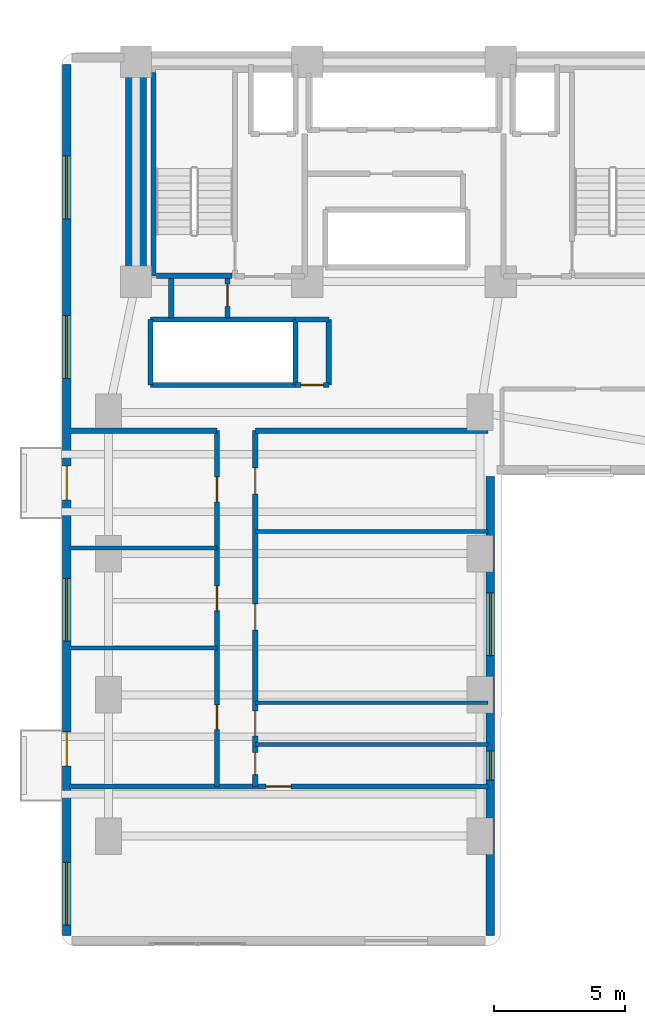
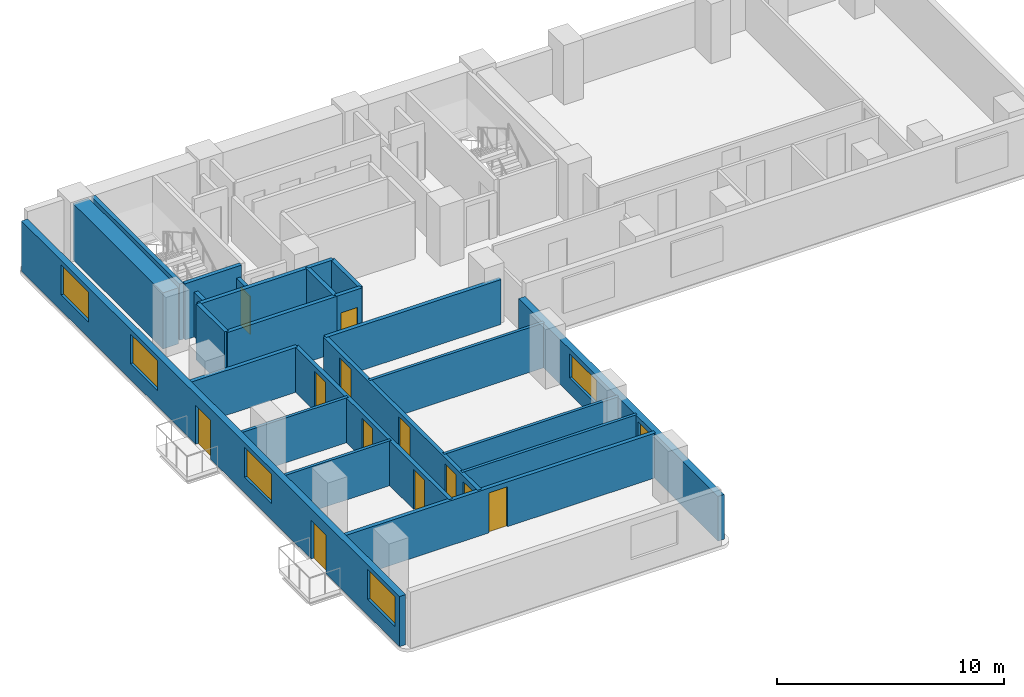
# One storey, part 10 of 17: 24 walls, 12 doors, 6 windows, 18 openings.
"""IFC4 building model written with IfcOpenShell, lengths in metres."""

from ifc_helpers import new_model, si_unit, direction, frame, frame_2d, origin, place, context, subcontext, project, spatial, rectangle, extrude, material, layer, layer_set, type_object, element, fill, save


model = new_model("IFC4")

# Units and contexts
model_context = context("Model", 3, precision=1e-05, world=origin(), true_north=direction((0.0, 1.0)))
body_context = subcontext(model_context, "Body", "Model", "MODEL_VIEW")
ifc_project = project(units=[si_unit("LENGTHUNIT", "METRE"), si_unit("AREAUNIT", "SQUARE_METRE"), si_unit("VOLUMEUNIT", "CUBIC_METRE"), si_unit("PLANEANGLEUNIT", "RADIAN"), si_unit("MASSUNIT", "GRAM", prefix="KILO")], contexts=[model_context])

# Site, building, storey
site_placement = place(None, origin())
site = spatial("IfcSite", under=ifc_project, at=site_placement, CompositionType="ELEMENT")
building_placement = place(site_placement, origin())
building = spatial("IfcBuilding", under=site, at=building_placement, Name="Kuzgunbayir Cultural Tower", CompositionType="ELEMENT")
storey_placement = place(building_placement, frame((0.0, 0.0, 50.0)))
storey = spatial("IfcBuildingStorey", under=building, at=storey_placement, Name="L13", CompositionType="ELEMENT", Elevation=50.0)

# Wall
ifc_material_1 = material(Name="Concrete C60/75", Category="concrete")
ifc_layer_1 = layer(ifc_material_1, 0.800048828125)
ifc_layer_set_1 = layer_set([ifc_layer_1], Name="Concrete C60/75")
wall_type_1 = type_object("IfcWallType", Name="WAL-CORE-800", PredefinedType="SHEAR", material=ifc_layer_set_1)
wall_1_placement = place(storey_placement, frame((6.449951171875, 33.800048828125, 0.0), z_axis=(0.0, 0.0, 1.0), x_axis=(0.0, 1.0, 0.0)))
element("IfcWall", 1, at=wall_1_placement, inside=storey, type_object=wall_type_1, Name="L13 T1 Core West Shear Wall", PredefinedType="SHEAR", context=body_context, shape_type="SweptSolid", body=[
    extrude(rectangle(XDim=7.949951171875, YDim=0.800048828125, at=frame_2d((3.97509765625, 0.0))), origin(), (0.0, 0.0, 1.0), 3.02001953125),
])

# Wall, openings, doors, windows
ifc_material_2 = material(Name="Travertine Buff Ashlar", Category="masonry")
ifc_layer_2 = layer(ifc_material_2, 0.320068359375)
ifc_layer_set_2 = layer_set([ifc_layer_2], Name="Travertine Buff Ashlar")
wall_type_2 = type_object("IfcWallType", Name="WAL-EXT-STONE-320", PredefinedType="STANDARD", material=ifc_layer_set_2)
wall_2_placement = place(storey_placement, frame((3.800048828125, 42.10009765625, 0.0), z_axis=(0.0, 0.0, 1.0), x_axis=(0.0, -1.0, 0.0)))
wall_2 = element("IfcWall", 2, at=wall_2_placement, inside=storey, type_object=wall_type_2, Name="L13 Wing A West Limestone Wall", PredefinedType="STANDARD", context=body_context, shape_type="SweptSolid", body=[
    extrude(rectangle(XDim=33.300048828125, YDim=0.320068359375, at=frame_2d((16.64990234375, 0.0))), origin(), (0.0, 0.0, 1.0), 2.699951171875),
])
opening_1_placement = place(wall_2_placement, frame((25.52001953125, 0.0, 0.0)))
opening_1 = element("IfcOpeningElement", 3, at=opening_1_placement, cuts=wall_2, Name="Opening BD-13", PredefinedType="OPENING", context=body_context, shape_type="SweptSolid", body=[
    extrude(rectangle(XDim=1.300048828125, YDim=2.080078125, at=frame_2d((0.64990234375, 1.0400390625))), frame((0.0, 0.169921875, 0.0), z_axis=(0.0, -1.0, 0.0), x_axis=(1.0, 0.0, 0.0)), (0.0, 0.0, 1.0), 0.340087890625),
])
opening_2_placement = place(wall_2_placement, frame((15.35009765625, 0.0, 0.0)))
opening_2 = element("IfcOpeningElement", 4, at=opening_2_placement, cuts=wall_2, Name="Opening BD-13", PredefinedType="OPENING", context=body_context, shape_type="SweptSolid", body=[
    extrude(rectangle(XDim=1.300048828125, YDim=2.080078125, at=frame_2d((0.64990234375, 1.0400390625))), frame((0.0, 0.169921875, 0.0), z_axis=(0.0, -1.0, 0.0), x_axis=(1.0, 0.0, 0.0)), (0.0, 0.0, 1.0), 0.340087890625),
])
opening_3_placement = place(wall_2_placement, frame((30.5, 0.0, 0.85009765625)))
opening_3 = element("IfcOpeningElement", 5, at=opening_3_placement, cuts=wall_2, Name="Opening WO-24", PredefinedType="OPENING", context=body_context, shape_type="SweptSolid", body=[
    extrude(rectangle(XDim=2.39990234375, YDim=1.60009765625, at=frame_2d((1.199951171875, 0.800048828125))), frame((0.0, 0.169921875, 0.0), z_axis=(0.0, -1.0, 0.0), x_axis=(1.0, 0.0, 0.0)), (0.0, 0.0, 1.0), 0.340087890625),
])
opening_4_placement = place(wall_2_placement, frame((19.64990234375, 0.0, 0.85009765625)))
opening_4 = element("IfcOpeningElement", 6, at=opening_4_placement, cuts=wall_2, Name="Opening WO-24", PredefinedType="OPENING", context=body_context, shape_type="SweptSolid", body=[
    extrude(rectangle(XDim=2.39990234375, YDim=1.60009765625, at=frame_2d((1.199951171875, 0.800048828125))), frame((0.0, 0.169921875, 0.0), z_axis=(0.0, -1.0, 0.0), x_axis=(1.0, 0.0, 0.0)), (0.0, 0.0, 1.0), 0.340087890625),
])
opening_5_placement = place(wall_2_placement, frame((9.60009765625, 0.0, 0.85009765625)))
opening_5 = element("IfcOpeningElement", 7, at=opening_5_placement, cuts=wall_2, Name="Opening WO-24", PredefinedType="OPENING", context=body_context, shape_type="SweptSolid", body=[
    extrude(rectangle(XDim=2.39990234375, YDim=1.60009765625, at=frame_2d((1.199951171875, 0.800048828125))), frame((0.0, 0.169921875, 0.0), z_axis=(0.0, -1.0, 0.0), x_axis=(1.0, 0.0, 0.0)), (0.0, 0.0, 1.0), 0.340087890625),
])
opening_6_placement = place(wall_2_placement, frame((3.5, 0.0, 0.85009765625)))
opening_6 = element("IfcOpeningElement", 8, at=opening_6_placement, cuts=wall_2, Name="Opening WO-24", PredefinedType="OPENING", context=body_context, shape_type="SweptSolid", body=[
    extrude(rectangle(XDim=2.39990234375, YDim=1.60009765625, at=frame_2d((1.199951171875, 0.800048828125))), frame((0.0, 0.169921875, 0.0), z_axis=(0.0, -1.0, 0.0), x_axis=(1.0, 0.0, 0.0)), (0.0, 0.0, 1.0), 0.340087890625),
])
ifc_material_3 = material(Name="Thermally Broken Glazed Aluminium", Category="aluminium")
door_type_1 = type_object("IfcDoorType", Name="DR-BALCONY-135", OperationType="SLIDING_TO_LEFT", PredefinedType="DOOR", material=ifc_material_3)
door_1_placement = place(opening_1_placement, origin())
door_1 = element("IfcDoor", 9, at=door_1_placement, inside=storey, type_object=door_type_1, Name="L13 West Balcony Sliding Door BAL-L13-WA1", OperationType="SLIDING_TO_LEFT", OverallHeight=2.080078125, OverallWidth=1.300048828125, PredefinedType="DOOR", context=body_context, shape_type="SweptSolid", body=[
    extrude(rectangle(XDim=1.300048828125, YDim=2.080078125, at=frame_2d((0.64990234375, 1.0400390625))), frame((0.0, 0.02490234375, 0.0), z_axis=(0.0, -1.0, 0.0), x_axis=(1.0, 0.0, 0.0)), (0.0, 0.0, 1.0), 0.050048828125),
])
fill(opening_1, door_1)
door_2_placement = place(opening_2_placement, origin())
door_2 = element("IfcDoor", 10, at=door_2_placement, inside=storey, type_object=door_type_1, Name="L13 West Balcony Sliding Door BAL-L13-WA3", OperationType="SLIDING_TO_LEFT", OverallHeight=2.080078125, OverallWidth=1.300048828125, PredefinedType="DOOR", context=body_context, shape_type="SweptSolid", body=[
    extrude(rectangle(XDim=1.300048828125, YDim=2.080078125, at=frame_2d((0.64990234375, 1.0400390625))), frame((0.0, 0.02490234375, 0.0), z_axis=(0.0, -1.0, 0.0), x_axis=(1.0, 0.0, 0.0)), (0.0, 0.0, 1.0), 0.050048828125),
])
fill(opening_2, door_2)
ifc_material_4 = material(Name="Solar-Control Triple Glazing", Category="glass")
window_type_1 = type_object("IfcWindowType", Name="WIN-OFFICE-24", PartitioningType="SINGLE_PANEL", PredefinedType="WINDOW", material=ifc_material_4)
window_1_placement = place(opening_3_placement, origin())
window_1 = element("IfcWindow", 11, at=window_1_placement, inside=storey, type_object=window_type_1, Name="L13 WAW Facade Window 2", OverallHeight=1.60009765625, OverallWidth=2.39990234375, PartitioningType="SINGLE_PANEL", PredefinedType="WINDOW", context=body_context, shape_type="SweptSolid", body=[
    extrude(rectangle(XDim=2.39990234375, YDim=1.60009765625, at=frame_2d((1.199951171875, 0.800048828125))), frame((0.0, 0.030029296875, 0.0), z_axis=(0.0, -1.0, 0.0), x_axis=(1.0, 0.0, 0.0)), (0.0, 0.0, 1.0), 0.06005859375),
])
fill(opening_3, window_1)
window_2_placement = place(opening_4_placement, origin())
window_2 = element("IfcWindow", 12, at=window_2_placement, inside=storey, type_object=window_type_1, Name="L13 WAW Facade Window 3", OverallHeight=1.60009765625, OverallWidth=2.39990234375, PartitioningType="SINGLE_PANEL", PredefinedType="WINDOW", context=body_context, shape_type="SweptSolid", body=[
    extrude(rectangle(XDim=2.39990234375, YDim=1.60009765625, at=frame_2d((1.199951171875, 0.800048828125))), frame((0.0, 0.030029296875, 0.0), z_axis=(0.0, -1.0, 0.0), x_axis=(1.0, 0.0, 0.0)), (0.0, 0.0, 1.0), 0.06005859375),
])
fill(opening_4, window_2)
window_3_placement = place(opening_5_placement, origin())
window_3 = element("IfcWindow", 13, at=window_3_placement, inside=storey, type_object=window_type_1, Name="L13 WAW Facade Window 4", OverallHeight=1.60009765625, OverallWidth=2.39990234375, PartitioningType="SINGLE_PANEL", PredefinedType="WINDOW", context=body_context, shape_type="SweptSolid", body=[
    extrude(rectangle(XDim=2.39990234375, YDim=1.60009765625, at=frame_2d((1.199951171875, 0.800048828125))), frame((0.0, 0.030029296875, 0.0), z_axis=(0.0, -1.0, 0.0), x_axis=(1.0, 0.0, 0.0)), (0.0, 0.0, 1.0), 0.06005859375),
])
fill(opening_5, window_3)
window_4_placement = place(opening_6_placement, origin())
window_4 = element("IfcWindow", 14, at=window_4_placement, inside=storey, type_object=window_type_1, Name="L13 WAW Facade Window 5", OverallHeight=1.60009765625, OverallWidth=2.39990234375, PartitioningType="SINGLE_PANEL", PredefinedType="WINDOW", context=body_context, shape_type="SweptSolid", body=[
    extrude(rectangle(XDim=2.39990234375, YDim=1.60009765625, at=frame_2d((1.199951171875, 0.800048828125))), frame((0.0, 0.030029296875, 0.0), z_axis=(0.0, -1.0, 0.0), x_axis=(1.0, 0.0, 0.0)), (0.0, 0.0, 1.0), 0.06005859375),
])
fill(opening_6, window_4)

# Wall, openings, windows
wall_3_placement = place(storey_placement, frame((20.0, 8.800048828125, 0.0), z_axis=(0.0, 0.0, 1.0), x_axis=(0.0, 1.0, 0.0)))
wall_3 = element("IfcWall", 15, at=wall_3_placement, inside=storey, type_object=wall_type_2, Name="L13 Wing A East Limestone Wall", PredefinedType="STANDARD", context=body_context, shape_type="SweptSolid", body=[
    extrude(rectangle(XDim=17.550048828125, YDim=0.320068359375, at=frame_2d((8.77490234375, 0.0))), origin(), (0.0, 0.0, 1.0), 2.409912109375),
])
opening_7_placement = place(wall_3_placement, frame((10.699951171875, 0.0, 0.85009765625)))
opening_7 = element("IfcOpeningElement", 16, at=opening_7_placement, cuts=wall_3, Name="Opening WO-24", PredefinedType="OPENING", context=body_context, shape_type="SweptSolid", body=[
    extrude(rectangle(XDim=2.39990234375, YDim=1.31005859375, at=frame_2d((1.199951171875, 0.655029296875))), frame((0.0, 0.169921875, 0.0), z_axis=(0.0, -1.0, 0.0), x_axis=(1.0, 0.0, 0.0)), (0.0, 0.0, 1.0), 0.340087890625),
])
opening_8_placement = place(wall_3_placement, frame((5.949951171875, 0.0, 0.85009765625)))
opening_8 = element("IfcOpeningElement", 17, at=opening_8_placement, cuts=wall_3, Name="Opening WN-11", PredefinedType="OPENING", context=body_context, shape_type="SweptSolid", body=[
    extrude(rectangle(XDim=1.10009765625, YDim=1.31005859375, at=frame_2d((0.550048828125, 0.655029296875))), frame((0.0, 0.169921875, 0.0), z_axis=(0.0, -1.0, 0.0), x_axis=(1.0, 0.0, 0.0)), (0.0, 0.0, 1.0), 0.340087890625),
])
window_type_2 = type_object("IfcWindowType", Name="WIN-NARROW-11", PartitioningType="SINGLE_PANEL", PredefinedType="WINDOW", material=ifc_material_4)
window_5_placement = place(opening_8_placement, origin())
window_5 = element("IfcWindow", 18, at=window_5_placement, inside=storey, type_object=window_type_2, Name="L13 WAE Facade Window 6", OverallHeight=1.31005859375, OverallWidth=1.10009765625, PartitioningType="SINGLE_PANEL", PredefinedType="WINDOW", context=body_context, shape_type="SweptSolid", body=[
    extrude(rectangle(XDim=1.10009765625, YDim=1.31005859375, at=frame_2d((0.550048828125, 0.655029296875))), frame((0.0, 0.030029296875, 0.0), z_axis=(0.0, -1.0, 0.0), x_axis=(1.0, 0.0, 0.0)), (0.0, 0.0, 1.0), 0.06005859375),
])
fill(opening_8, window_5)
window_6_placement = place(opening_7_placement, origin())
window_6 = element("IfcWindow", 19, at=window_6_placement, inside=storey, type_object=window_type_1, Name="L13 WAE Facade Window 1", OverallHeight=1.31005859375, OverallWidth=2.39990234375, PartitioningType="SINGLE_PANEL", PredefinedType="WINDOW", context=body_context, shape_type="SweptSolid", body=[
    extrude(rectangle(XDim=2.39990234375, YDim=1.31005859375, at=frame_2d((1.199951171875, 0.655029296875))), frame((0.0, 0.030029296875, 0.0), z_axis=(0.0, -1.0, 0.0), x_axis=(1.0, 0.0, 0.0)), (0.0, 0.0, 1.0), 0.06005859375),
])
fill(opening_7, window_6)

# Walls
ifc_material_5 = material(Name="Acoustic Double-Stud Drywall", Category="gypsum")
ifc_layer_3 = layer(ifc_material_5, 0.14990234375)
ifc_layer_set_3 = layer_set([ifc_layer_3], Name="Acoustic Double-Stud Drywall")
wall_type_3 = type_object("IfcWallType", Name="WAL-PART-ACOUSTIC-150", PredefinedType="PARTITIONING", material=ifc_layer_set_3)
for number, where, z_axis, x_axis, name in (
    (20, (3.89990234375, 19.800048828125, 0.0), (0.0, 0.0, 1.0), (1.0, 0.0, 0.0), "L13 West Suite Partition 1"),
    (21, (3.89990234375, 23.610107421875, 0.0), (0.0, 0.0, 1.0), (1.0, 0.0, 0.0), "L13 West Suite Partition 2"),
):
    element("IfcWall", number, at=place(storey_placement, frame(where, z_axis=z_axis, x_axis=x_axis)), inside=storey, type_object=wall_type_3, Name=name, PredefinedType="PARTITIONING", context=body_context, shape_type="SweptSolid", body=[
        extrude(rectangle(XDim=5.650146484375, YDim=0.14990234375, at=frame_2d((2.8251953125, 0.0))), origin(), (0.0, 0.0, 1.0), 2.409912109375),
    ])
wall_4_placement = place(storey_placement, frame((11.010009765625, 24.25, 0.0), z_axis=(0.0, 0.0, 1.0), x_axis=(1.0, 0.0, 0.0)))
element("IfcWall", 22, at=wall_4_placement, inside=storey, type_object=wall_type_3, Name="L13 East Studio Divider 1", PredefinedType="PARTITIONING", context=body_context, shape_type="SweptSolid", body=[
    extrude(rectangle(XDim=8.889892578125, YDim=0.14990234375, at=frame_2d((4.44482421875, 0.0))), origin(), (0.0, 0.0, 1.0), 2.409912109375),
])

# Wall, opening, door
ifc_material_6 = material(Name="Aerated Concrete Blockwork", Category="masonry")
ifc_layer_4 = layer(ifc_material_6, 0.199951171875)
ifc_layer_set_4 = layer_set([ifc_layer_4], Name="Aerated Concrete Blockwork")
wall_type_4 = type_object("IfcWallType", Name="WAL-PART-FIRE-200", PredefinedType="PARTITIONING", material=ifc_layer_set_4)
wall_5_placement = place(storey_placement, frame((12.550048828125, 29.85009765625, 0.0), z_axis=(0.0, 0.0, 1.0), x_axis=(1.0, 0.0, 0.0)))
wall_5 = element("IfcWall", 23, at=wall_5_placement, inside=storey, type_object=wall_type_4, Name="L13 Center Core Switchgear South Wall", PredefinedType="PARTITIONING", context=body_context, shape_type="SweptSolid", body=[
    extrude(rectangle(XDim=1.27001953125, YDim=0.199951171875, at=frame_2d((0.635009765625, 0.0))), origin(), (0.0, 0.0, 1.0), 3.02001953125),
])
opening_9_placement = place(wall_5_placement, frame((0.2099609375, 0.0, 0.0)))
opening_9 = element("IfcOpeningElement", 24, at=opening_9_placement, cuts=wall_5, Name="Opening DR-RSR-60", PredefinedType="OPENING", context=body_context, shape_type="SweptSolid", body=[
    extrude(rectangle(XDim=0.85009765625, YDim=2.050048828125, at=frame_2d((0.425048828125, 1.02490234375))), frame((0.0, 0.10986328125, 0.0), z_axis=(0.0, -1.0, 0.0), x_axis=(1.0, 0.0, 0.0)), (0.0, 0.0, 1.0), 0.219970703125),
])
ifc_material_7 = material(Name="Steel Access Leaf", Category="steel")
door_type_2 = type_object("IfcDoorType", Name="DR-RISER-60", OperationType="NOTDEFINED", PredefinedType="DOOR", material=ifc_material_7)
door_3_placement = place(opening_9_placement, origin())
door_3 = element("IfcDoor", 25, at=door_3_placement, inside=storey, type_object=door_type_2, Name="L13 Electrical Switchgear Closet Door", OperationType="SINGLE_SWING_LEFT", OverallHeight=2.050048828125, OverallWidth=0.85009765625, PredefinedType="DOOR", context=body_context, shape_type="SweptSolid", body=[
    extrude(rectangle(XDim=0.85009765625, YDim=2.050048828125, at=frame_2d((0.425048828125, 1.02490234375))), frame((0.0, 0.02490234375, 0.0), z_axis=(0.0, -1.0, 0.0), x_axis=(1.0, 0.0, 0.0)), (0.0, 0.0, 1.0), 0.050048828125),
])
fill(opening_9, door_3)

# Walls
wall_6_placement = place(storey_placement, frame((13.820068359375, 29.85009765625, 0.0), z_axis=(0.0, 0.0, 1.0), x_axis=(0.0, 1.0, 0.0)))
element("IfcWall", 26, at=wall_6_placement, inside=storey, type_object=wall_type_4, Name="L13 Center Core Switchgear East Wall", PredefinedType="PARTITIONING", context=body_context, shape_type="SweptSolid", body=[
    extrude(rectangle(XDim=2.5, YDim=0.199951171875, at=frame_2d((1.25, 0.0))), origin(), (0.0, 0.0, 1.0), 3.02001953125),
])
wall_7_placement = place(storey_placement, frame((12.550048828125, 32.35009765625, 0.0), z_axis=(0.0, 0.0, 1.0), x_axis=(1.0, 0.0, 0.0)))
element("IfcWall", 27, at=wall_7_placement, inside=storey, type_object=wall_type_4, Name="L13 Center Core Switchgear North Wall", PredefinedType="PARTITIONING", context=body_context, shape_type="SweptSolid", body=[
    extrude(rectangle(XDim=1.27001953125, YDim=0.199951171875, at=frame_2d((0.635009765625, 0.0))), origin(), (0.0, 0.0, 1.0), 3.02001953125),
])
wall_8_placement = place(storey_placement, frame((7.800048828125, 32.39990234375, 0.0), z_axis=(0.0, 0.0, 1.0), x_axis=(0.0, 1.0, 0.0)))
element("IfcWall", 28, at=wall_8_placement, inside=storey, type_object=wall_type_4, Name="L13 West Core Electrical Closet West Wall", PredefinedType="PARTITIONING", context=body_context, shape_type="SweptSolid", body=[
    extrude(rectangle(XDim=1.52001953125, YDim=0.199951171875, at=frame_2d((0.760009765625, 0.0))), origin(), (0.0, 0.0, 1.0), 2.409912109375),
])

# Wall, opening, door
wall_9_placement = place(storey_placement, frame((9.949951171875, 32.39990234375, 0.0), z_axis=(0.0, 0.0, 1.0), x_axis=(0.0, 1.0, 0.0)))
wall_9 = element("IfcWall", 29, at=wall_9_placement, inside=storey, type_object=wall_type_4, Name="L13 West Core Electrical Closet East Wall", PredefinedType="PARTITIONING", context=body_context, shape_type="SweptSolid", body=[
    extrude(rectangle(XDim=1.52001953125, YDim=0.199951171875, at=frame_2d((0.760009765625, 0.0))), origin(), (0.0, 0.0, 1.0), 2.409912109375),
])
opening_10_placement = place(wall_9_placement, frame((0.449951171875, 0.0, 0.0)))
opening_10 = element("IfcOpeningElement", 30, at=opening_10_placement, cuts=wall_9, Name="Opening DR-RSR-60", PredefinedType="OPENING", context=body_context, shape_type="SweptSolid", body=[
    extrude(rectangle(XDim=0.85009765625, YDim=2.050048828125, at=frame_2d((0.425048828125, 1.02490234375))), frame((0.0, 0.10986328125, 0.0), z_axis=(0.0, -1.0, 0.0), x_axis=(1.0, 0.0, 0.0)), (0.0, 0.0, 1.0), 0.219970703125),
])
door_4_placement = place(opening_10_placement, origin())
door_4 = element("IfcDoor", 31, at=door_4_placement, inside=storey, type_object=door_type_2, Name="L13 West Core Switchgear Closet Door", OperationType="SINGLE_SWING_RIGHT", OverallHeight=2.050048828125, OverallWidth=0.85009765625, PredefinedType="DOOR", context=body_context, shape_type="SweptSolid", body=[
    extrude(rectangle(XDim=0.85009765625, YDim=2.050048828125, at=frame_2d((0.425048828125, 1.02490234375))), frame((0.0, 0.02490234375, 0.0), z_axis=(0.0, -1.0, 0.0), x_axis=(1.0, 0.0, 0.0)), (0.0, 0.0, 1.0), 0.050048828125),
])
fill(opening_10, door_4)

# Wall, openings, doors
wall_10_placement = place(storey_placement, frame((9.550048828125, 14.5, 0.0), z_axis=(0.0, 0.0, 1.0), x_axis=(0.0, 1.0, 0.0)))
wall_10 = element("IfcWall", 32, at=wall_10_placement, inside=storey, type_object=wall_type_4, Name="L13 Wing A West Corridor Wall", PredefinedType="PARTITIONING", context=body_context, shape_type="SweptSolid", body=[
    extrude(rectangle(XDim=13.60009765625, YDim=0.199951171875, at=frame_2d((6.800048828125, 0.0))), origin(), (0.0, 0.0, 1.0), 2.409912109375),
])
opening_11_placement = place(wall_10_placement, frame((2.169921875, 0.0, 0.0)))
opening_11 = element("IfcOpeningElement", 33, at=opening_11_placement, cuts=wall_10, Name="Opening DI-90", PredefinedType="OPENING", context=body_context, shape_type="SweptSolid", body=[
    extrude(rectangle(XDim=0.949951171875, YDim=2.14990234375, at=frame_2d((0.47509765625, 1.074951171875))), frame((0.0, 0.10986328125, 0.0), z_axis=(0.0, -1.0, 0.0), x_axis=(1.0, 0.0, 0.0)), (0.0, 0.0, 1.0), 0.219970703125),
])
opening_12_placement = place(wall_10_placement, frame((6.719970703125, 0.0, 0.0)))
opening_12 = element("IfcOpeningElement", 34, at=opening_12_placement, cuts=wall_10, Name="Opening DI-90", PredefinedType="OPENING", context=body_context, shape_type="SweptSolid", body=[
    extrude(rectangle(XDim=0.949951171875, YDim=2.14990234375, at=frame_2d((0.47509765625, 1.074951171875))), frame((0.0, 0.10986328125, 0.0), z_axis=(0.0, -1.0, 0.0), x_axis=(1.0, 0.0, 0.0)), (0.0, 0.0, 1.0), 0.219970703125),
])
opening_13_placement = place(wall_10_placement, frame((10.8798828125, 0.0, 0.0)))
opening_13 = element("IfcOpeningElement", 35, at=opening_13_placement, cuts=wall_10, Name="Opening DI-90", PredefinedType="OPENING", context=body_context, shape_type="SweptSolid", body=[
    extrude(rectangle(XDim=0.949951171875, YDim=2.14990234375, at=frame_2d((0.47509765625, 1.074951171875))), frame((0.0, 0.10986328125, 0.0), z_axis=(0.0, -1.0, 0.0), x_axis=(1.0, 0.0, 0.0)), (0.0, 0.0, 1.0), 0.219970703125),
])
ifc_material_8 = material(Name="Veneered Oak Single Leaf", Category="wood")
door_type_3 = type_object("IfcDoorType", Name="DR-INT-90", OperationType="NOTDEFINED", PredefinedType="DOOR", material=ifc_material_8)
door_5_placement = place(opening_11_placement, origin())
door_5 = element("IfcDoor", 36, at=door_5_placement, inside=storey, type_object=door_type_3, Name="L13 Seminar Boardroom W1 Door", OperationType="SINGLE_SWING_LEFT", OverallHeight=2.14990234375, OverallWidth=0.949951171875, PredefinedType="DOOR", context=body_context, shape_type="SweptSolid", body=[
    extrude(rectangle(XDim=0.949951171875, YDim=2.14990234375, at=frame_2d((0.47509765625, 1.074951171875))), frame((0.0, 0.02490234375, 0.0), z_axis=(0.0, -1.0, 0.0), x_axis=(1.0, 0.0, 0.0)), (0.0, 0.0, 1.0), 0.050048828125),
])
fill(opening_11, door_5)
door_6_placement = place(opening_12_placement, origin())
door_6 = element("IfcDoor", 37, at=door_6_placement, inside=storey, type_object=door_type_3, Name="L13 Seminar Boardroom W2 Door", OperationType="SINGLE_SWING_RIGHT", OverallHeight=2.14990234375, OverallWidth=0.949951171875, PredefinedType="DOOR", context=body_context, shape_type="SweptSolid", body=[
    extrude(rectangle(XDim=0.949951171875, YDim=2.14990234375, at=frame_2d((0.47509765625, 1.074951171875))), frame((0.0, 0.02490234375, 0.0), z_axis=(0.0, -1.0, 0.0), x_axis=(1.0, 0.0, 0.0)), (0.0, 0.0, 1.0), 0.050048828125),
])
fill(opening_12, door_6)
door_7_placement = place(opening_13_placement, origin())
door_7 = element("IfcDoor", 38, at=door_7_placement, inside=storey, type_object=door_type_3, Name="L13 Art Publication Salon W3 Door", OperationType="SINGLE_SWING_LEFT", OverallHeight=2.14990234375, OverallWidth=0.949951171875, PredefinedType="DOOR", context=body_context, shape_type="SweptSolid", body=[
    extrude(rectangle(XDim=0.949951171875, YDim=2.14990234375, at=frame_2d((0.47509765625, 1.074951171875))), frame((0.0, 0.02490234375, 0.0), z_axis=(0.0, -1.0, 0.0), x_axis=(1.0, 0.0, 0.0)), (0.0, 0.0, 1.0), 0.050048828125),
])
fill(opening_13, door_7)

wall_11_placement = place(storey_placement, frame((11.010009765625, 14.5, 0.0), z_axis=(0.0, 0.0, 1.0), x_axis=(0.0, 1.0, 0.0)))
wall_11 = element("IfcWall", 39, at=wall_11_placement, inside=storey, type_object=wall_type_4, Name="L13 Wing A East Corridor Wall", PredefinedType="PARTITIONING", context=body_context, shape_type="SweptSolid", body=[
    extrude(rectangle(XDim=13.60009765625, YDim=0.199951171875, at=frame_2d((6.800048828125, 0.0))), origin(), (0.0, 0.0, 1.0), 2.409912109375),
])
opening_14_placement = place(wall_11_placement, frame((0.449951171875, 0.0, 0.0)))
opening_14 = element("IfcOpeningElement", 40, at=opening_14_placement, cuts=wall_11, Name="Opening DW-85", PredefinedType="OPENING", context=body_context, shape_type="SweptSolid", body=[
    extrude(rectangle(XDim=0.85009765625, YDim=2.10009765625, at=frame_2d((0.425048828125, 1.050048828125))), frame((0.0, 0.10986328125, 0.0), z_axis=(0.0, -1.0, 0.0), x_axis=(1.0, 0.0, 0.0)), (0.0, 0.0, 1.0), 0.219970703125),
])
opening_15_placement = place(wall_11_placement, frame((1.929931640625, 0.0, 0.0)))
opening_15 = element("IfcOpeningElement", 41, at=opening_15_placement, cuts=wall_11, Name="Opening DW-95", PredefinedType="OPENING", context=body_context, shape_type="SweptSolid", body=[
    extrude(rectangle(XDim=0.949951171875, YDim=2.10009765625, at=frame_2d((0.47509765625, 1.050048828125))), frame((0.0, 0.10986328125, 0.0), z_axis=(0.0, -1.0, 0.0), x_axis=(1.0, 0.0, 0.0)), (0.0, 0.0, 1.0), 0.219970703125),
])
opening_16_placement = place(wall_11_placement, frame((5.97998046875, 0.0, 0.0)))
opening_16 = element("IfcOpeningElement", 42, at=opening_16_placement, cuts=wall_11, Name="Opening DI-100", PredefinedType="OPENING", context=body_context, shape_type="SweptSolid", body=[
    extrude(rectangle(XDim=1.0, YDim=2.14990234375, at=frame_2d((0.5, 1.074951171875))), frame((0.0, 0.10986328125, 0.0), z_axis=(0.0, -1.0, 0.0), x_axis=(1.0, 0.0, 0.0)), (0.0, 0.0, 1.0), 0.219970703125),
])
opening_17_placement = place(wall_11_placement, frame((11.179931640625, 0.0, 0.0)))
opening_17 = element("IfcOpeningElement", 43, at=opening_17_placement, cuts=wall_11, Name="Opening DI-100", PredefinedType="OPENING", context=body_context, shape_type="SweptSolid", body=[
    extrude(rectangle(XDim=1.0, YDim=2.14990234375, at=frame_2d((0.5, 1.074951171875))), frame((0.0, 0.10986328125, 0.0), z_axis=(0.0, -1.0, 0.0), x_axis=(1.0, 0.0, 0.0)), (0.0, 0.0, 1.0), 0.219970703125),
])
door_type_4 = type_object("IfcDoorType", Name="DR-INT-100", OperationType="NOTDEFINED", PredefinedType="DOOR", material=ifc_material_8)
door_8_placement = place(opening_16_placement, origin())
door_8 = element("IfcDoor", 44, at=door_8_placement, inside=storey, type_object=door_type_4, Name="L13 East Wellness Consultation Studio 1 Door", OperationType="SINGLE_SWING_LEFT", OverallHeight=2.14990234375, OverallWidth=1.0, PredefinedType="DOOR", context=body_context, shape_type="SweptSolid", body=[
    extrude(rectangle(XDim=1.0, YDim=2.14990234375, at=frame_2d((0.5, 1.074951171875))), frame((0.0, 0.02490234375, 0.0), z_axis=(0.0, -1.0, 0.0), x_axis=(1.0, 0.0, 0.0)), (0.0, 0.0, 1.0), 0.050048828125),
])
fill(opening_16, door_8)
door_9_placement = place(opening_17_placement, origin())
door_9 = element("IfcDoor", 45, at=door_9_placement, inside=storey, type_object=door_type_4, Name="L13 East Art Publication Salon 2 Door", OperationType="SINGLE_SWING_RIGHT", OverallHeight=2.14990234375, OverallWidth=1.0, PredefinedType="DOOR", context=body_context, shape_type="SweptSolid", body=[
    extrude(rectangle(XDim=1.0, YDim=2.14990234375, at=frame_2d((0.5, 1.074951171875))), frame((0.0, 0.02490234375, 0.0), z_axis=(0.0, -1.0, 0.0), x_axis=(1.0, 0.0, 0.0)), (0.0, 0.0, 1.0), 0.050048828125),
])
fill(opening_17, door_9)
ifc_material_9 = material(Name="Laminate Moisture-Resistant Leaf", Category="wood")
door_type_5 = type_object("IfcDoorType", Name="DR-WET-85", OperationType="NOTDEFINED", PredefinedType="DOOR", material=ifc_material_9)
door_10_placement = place(opening_14_placement, origin())
door_10 = element("IfcDoor", 46, at=door_10_placement, inside=storey, type_object=door_type_5, Name="L13 Restroom Door", OperationType="SINGLE_SWING_LEFT", OverallHeight=2.10009765625, OverallWidth=0.85009765625, PredefinedType="DOOR", context=body_context, shape_type="SweptSolid", body=[
    extrude(rectangle(XDim=0.85009765625, YDim=2.10009765625, at=frame_2d((0.425048828125, 1.050048828125))), frame((0.0, 0.02490234375, 0.0), z_axis=(0.0, -1.0, 0.0), x_axis=(1.0, 0.0, 0.0)), (0.0, 0.0, 1.0), 0.050048828125),
])
fill(opening_14, door_10)
door_type_6 = type_object("IfcDoorType", Name="DR-WET-95", OperationType="NOTDEFINED", PredefinedType="DOOR", material=ifc_material_9)
door_11_placement = place(opening_15_placement, origin())
door_11 = element("IfcDoor", 47, at=door_11_placement, inside=storey, type_object=door_type_6, Name="L13 Accessible WC Door", OperationType="SINGLE_SWING_RIGHT", OverallHeight=2.10009765625, OverallWidth=0.949951171875, PredefinedType="DOOR", context=body_context, shape_type="SweptSolid", body=[
    extrude(rectangle(XDim=0.949951171875, YDim=2.10009765625, at=frame_2d((0.47509765625, 1.050048828125))), frame((0.0, 0.02490234375, 0.0), z_axis=(0.0, -1.0, 0.0), x_axis=(1.0, 0.0, 0.0)), (0.0, 0.0, 1.0), 0.050048828125),
])
fill(opening_15, door_11)

# Wall, opening, door
wall_12_placement = place(storey_placement, frame((3.89990234375, 14.5, 0.0), z_axis=(0.0, 0.0, 1.0), x_axis=(1.0, 0.0, 0.0)))
wall_12 = element("IfcWall", 48, at=wall_12_placement, inside=storey, type_object=wall_type_4, Name="L13 South Cross Partition", PredefinedType="PARTITIONING", context=body_context, shape_type="SweptSolid", body=[
    extrude(rectangle(XDim=16.0, YDim=0.199951171875, at=frame_2d((8.0, 0.0))), origin(), (0.0, 0.0, 1.0), 2.409912109375),
])
opening_18_placement = place(wall_12_placement, frame((7.52001953125, 0.0, 0.0)))
opening_18 = element("IfcOpeningElement", 49, at=opening_18_placement, cuts=wall_12, Name="Opening DI-90", PredefinedType="OPENING", context=body_context, shape_type="SweptSolid", body=[
    extrude(rectangle(XDim=0.949951171875, YDim=2.14990234375, at=frame_2d((0.47509765625, 1.074951171875))), frame((0.0, 0.10986328125, 0.0), z_axis=(0.0, -1.0, 0.0), x_axis=(1.0, 0.0, 0.0)), (0.0, 0.0, 1.0), 0.219970703125),
])
door_12_placement = place(opening_18_placement, origin())
door_12 = element("IfcDoor", 50, at=door_12_placement, inside=storey, type_object=door_type_3, Name="L13 South Suite S1 Door", OperationType="SINGLE_SWING_RIGHT", OverallHeight=2.14990234375, OverallWidth=0.949951171875, PredefinedType="DOOR", context=body_context, shape_type="SweptSolid", body=[
    extrude(rectangle(XDim=0.949951171875, YDim=2.14990234375, at=frame_2d((0.47509765625, 1.074951171875))), frame((0.0, 0.02490234375, 0.0), z_axis=(0.0, -1.0, 0.0), x_axis=(1.0, 0.0, 0.0)), (0.0, 0.0, 1.0), 0.050048828125),
])
fill(opening_18, door_12)

# Walls
wall_13_placement = place(storey_placement, frame((3.89990234375, 28.10009765625, 0.0), z_axis=(0.0, 0.0, 1.0), x_axis=(1.0, 0.0, 0.0)))
element("IfcWall", 51, at=wall_13_placement, inside=storey, type_object=wall_type_4, Name="L13 North West Partition", PredefinedType="PARTITIONING", context=body_context, shape_type="SweptSolid", body=[
    extrude(rectangle(XDim=5.650146484375, YDim=0.199951171875, at=frame_2d((2.8251953125, 0.0))), origin(), (0.0, 0.0, 1.0), 2.409912109375),
])
wall_14_placement = place(storey_placement, frame((11.010009765625, 28.10009765625, 0.0), z_axis=(0.0, 0.0, 1.0), x_axis=(1.0, 0.0, 0.0)))
element("IfcWall", 52, at=wall_14_placement, inside=storey, type_object=wall_type_4, Name="L13 North East Partition", PredefinedType="PARTITIONING", context=body_context, shape_type="SweptSolid", body=[
    extrude(rectangle(XDim=8.889892578125, YDim=0.199951171875, at=frame_2d((4.44482421875, 0.0))), origin(), (0.0, 0.0, 1.0), 2.409912109375),
])
ifc_material_10 = material(Name="Moisture-Resistant Tile Partition", Category="gypsum")
ifc_layer_5 = layer(ifc_material_10, 0.14990234375)
ifc_layer_set_5 = layer_set([ifc_layer_5], Name="Moisture-Resistant Tile Partition")
wall_type_5 = type_object("IfcWallType", Name="WAL-PART-WET-150", PredefinedType="PARTITIONING", material=ifc_layer_set_5)
for number, where, z_axis, x_axis, name in (
    (53, (11.010009765625, 16.10009765625, 0.0), (0.0, 0.0, 1.0), (1.0, 0.0, 0.0), "L13 WC North Wall"),
    (54, (11.010009765625, 17.699951171875, 0.0), (0.0, 0.0, 1.0), (1.0, 0.0, 0.0), "L13 Accessible WC North Wall"),
):
    element("IfcWall", number, at=place(storey_placement, frame(where, z_axis=z_axis, x_axis=x_axis)), inside=storey, type_object=wall_type_5, Name=name, PredefinedType="PARTITIONING", context=body_context, shape_type="SweptSolid", body=[
        extrude(rectangle(XDim=8.889892578125, YDim=0.14990234375, at=frame_2d((4.44482421875, 0.0))), origin(), (0.0, 0.0, 1.0), 2.409912109375),
    ])
ifc_material_11 = material(Name="Concrete C40/50", Category="concrete")
ifc_layer_6 = layer(ifc_material_11, 0.199951171875)
ifc_layer_set_6 = layer_set([ifc_layer_6], Name="Concrete C40/50")
wall_type_6 = type_object("IfcWallType", Name="WAL-SHAFT-200", PredefinedType="MOVABLE", material=ifc_layer_set_6)
for number, where, z_axis, x_axis, name in (
    (55, (7.0, 29.85009765625, 0.0), (0.0, 0.0, 1.0), (1.0, 0.0, 0.0), "L13 High-Rise Lift Shaft South Wall"),
    (56, (7.0, 32.35009765625, 0.0), (0.0, 0.0, 1.0), (1.0, 0.0, 0.0), "L13 High-Rise Lift Shaft North Wall"),
):
    element("IfcWall", number, at=place(storey_placement, frame(where, z_axis=z_axis, x_axis=x_axis)), inside=storey, type_object=wall_type_6, Name=name, PredefinedType="MOVABLE", context=body_context, shape_type="SweptSolid", body=[
        extrude(rectangle(XDim=5.550048828125, YDim=0.199951171875, at=frame_2d((2.77490234375, 0.0))), origin(), (0.0, 0.0, 1.0), 3.02001953125),
    ])
for number, where, z_axis, x_axis, name in (
    (57, (7.0, 29.85009765625, 0.0), (0.0, 0.0, 1.0), (0.0, 1.0, 0.0), "L13 High-Rise Lift Shaft West Wall"),
    (58, (12.550048828125, 29.85009765625, 0.0), (0.0, 0.0, 1.0), (0.0, 1.0, 0.0), "L13 High-Rise Lift Shaft East Wall"),
):
    element("IfcWall", number, at=place(storey_placement, frame(where, z_axis=z_axis, x_axis=x_axis)), inside=storey, type_object=wall_type_6, Name=name, PredefinedType="MOVABLE", context=body_context, shape_type="SweptSolid", body=[
        extrude(rectangle(XDim=2.5, YDim=0.199951171875, at=frame_2d((1.25, 0.0))), origin(), (0.0, 0.0, 1.0), 3.02001953125),
    ])
ifc_layer_7 = layer(ifc_material_11, 0.199951171875)
ifc_layer_set_7 = layer_set([ifc_layer_7], Name="Concrete C40/50")
wall_type_7 = type_object("IfcWallType", Name="WAL-STAIR-RC-200", PredefinedType="SHEAR", material=ifc_layer_set_7)
wall_15_placement = place(storey_placement, frame((7.1201171875, 34.02001953125, 0.0), z_axis=(0.0, 0.0, 1.0), x_axis=(0.0, 1.0, 0.0)))
element("IfcWall", 59, at=wall_15_placement, inside=storey, type_object=wall_type_7, Name="L13 Stair ST-1 West Structural Wall", PredefinedType="SHEAR", context=body_context, shape_type="SweptSolid", body=[
    extrude(rectangle(XDim=7.780029296875, YDim=0.199951171875, at=frame_2d((3.89013671875, 0.0))), origin(), (0.0, 0.0, 1.0), 3.02001953125),
])
wall_16_placement = place(storey_placement, frame((7.239990234375, 34.02001953125, 0.0), z_axis=(0.0, 0.0, 1.0), x_axis=(1.0, 0.0, 0.0)))
element("IfcWall", 60, at=wall_16_placement, inside=storey, type_object=wall_type_7, Name="L13 Stair ST-1 South Structural Wall", PredefinedType="SHEAR", context=body_context, shape_type="SweptSolid", body=[
    extrude(rectangle(XDim=2.880126953125, YDim=0.199951171875, at=frame_2d((1.43994140625, 0.0))), origin(), (0.0, 0.0, 1.0), 3.02001953125),
])

save(model, "model.ifc")
